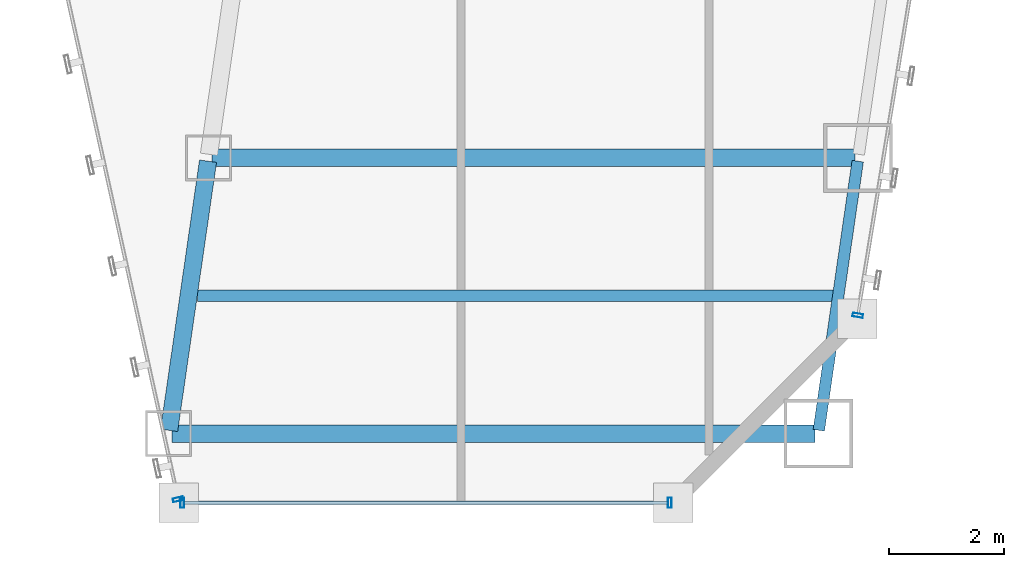
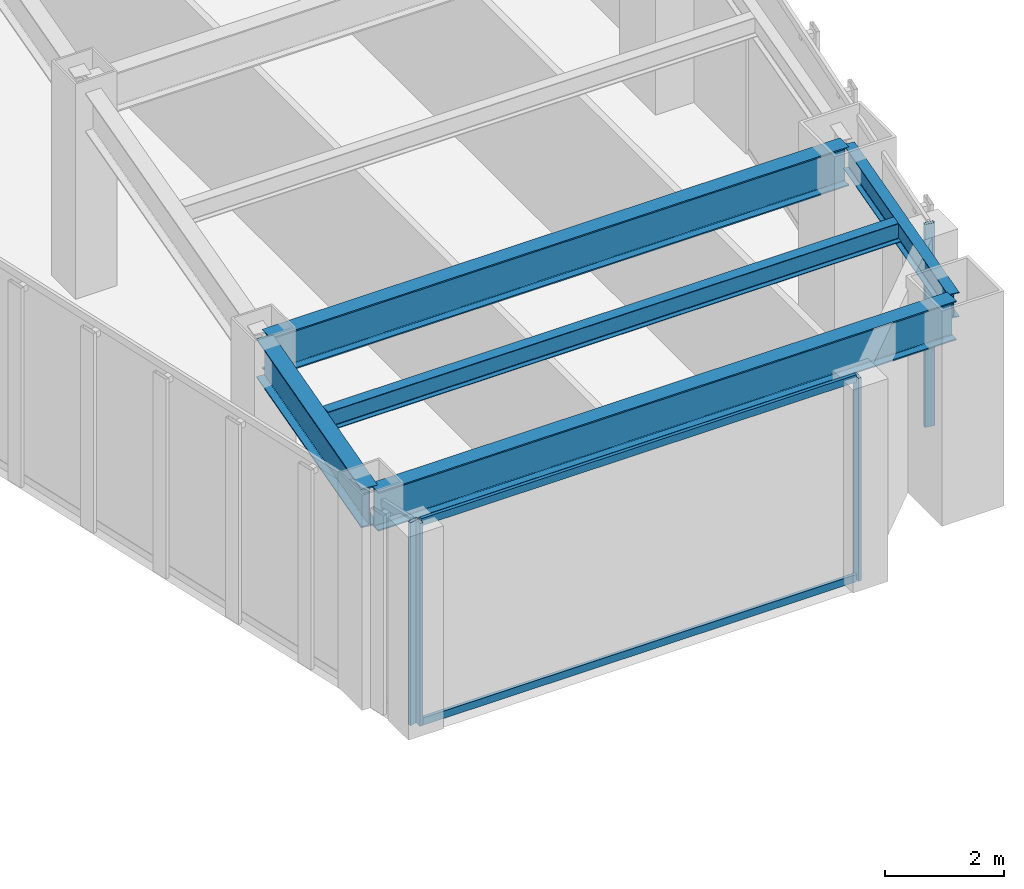
# One storey, part 15 of 47: 6 members, 5 beams, 3 elements without a shape of their own.
"""IFC4 building model written with IfcOpenShell, lengths in metres."""

from ifc_helpers import new_model, si_unit, direction, frame, origin, origin_2d, place, context, subcontext, project, spatial, hollow_rectangle, i_section, extrude, material, material_profile, profile_set, type_object, element, aggregate, save


model = new_model("IFC4")

# Units and contexts
model_context = context("Model", 3, precision=1e-05, world=origin(), true_north=direction((0.0, 1.0)))
body_context = subcontext(model_context, "Body", "Model", "MODEL_VIEW")
ifc_project = project(units=[si_unit("LENGTHUNIT", "METRE"), si_unit("AREAUNIT", "SQUARE_METRE"), si_unit("VOLUMEUNIT", "CUBIC_METRE"), si_unit("PLANEANGLEUNIT", "RADIAN"), si_unit("MASSUNIT", "GRAM", prefix="KILO")], contexts=[model_context])

# Site, building, storey
site_placement = place(None, origin())
site = spatial("IfcSite", under=ifc_project, at=site_placement, CompositionType="ELEMENT")
building_placement = place(site_placement, origin())
building = spatial("IfcBuilding", under=site, at=building_placement, Name="Saevonmaru Cultural Tower", CompositionType="ELEMENT")
storey_placement = place(building_placement, frame((0.0, 0.0, 92.800048828125)))
storey = spatial("IfcBuildingStorey", under=building, at=storey_placement, Name="L19", CompositionType="ELEMENT", Elevation=92.800048828125)

# Beams
ifc_material_1 = material(Name="Steel SM420", Category="steel")
ifc_material_profile_1 = material_profile(ifc_material_1, i_section(OverallWidth=0.300048828125, OverallDepth=0.800048828125, WebThickness=0.013916015625, FlangeThickness=0.02587890625, FilletRadius=0.028076171875, at=origin_2d()), Name="H-800x300x14x26")
ifc_profile_set_1 = profile_set([ifc_material_profile_1], Name="Steel SM420")
beam_type_1 = type_object("IfcBeamType", Name="BM-G-H800", PredefinedType="BEAM", material=ifc_profile_set_1)
beam_1_placement = place(storey_placement, frame((36.231689453125, 3.259521484375, 3.75), z_axis=(0.143083234893, 0.989710658674, 0.0), x_axis=(-0.989710658674, 0.143083234893, 0.0)))
element("IfcBeam", 1, at=beam_1_placement, inside=storey, type_object=beam_type_1, Name="L19 East Atrium Girder 1", PredefinedType="BEAM", context=body_context, shape_type="SweptSolid", body=[
    extrude(i_section(OverallWidth=0.300048828125, OverallDepth=0.800048828125, WebThickness=0.013916015625, FlangeThickness=0.02587890625, FilletRadius=0.028076171875, at=origin_2d()), origin(), (0.0, 0.0, 1.0), 4.729736328125),
])
for number, where, z_axis, x_axis, name in (
    (2, (36.282958984375, 3.199951171875, 3.75), (1.0, 0.0, 0.0), (0.0, 1.0, 0.0), "L19 East Wing Transverse Girder 1"),
    (3, (36.97705078125, 8.0, 3.75), (1.0, 0.0, 0.0), (0.0, 1.0, 0.0), "L19 East Wing Transverse Girder 2"),
):
    element("IfcBeam", number, at=place(storey_placement, frame(where, z_axis=z_axis, x_axis=x_axis)), inside=storey, type_object=beam_type_1, Name=name, PredefinedType="BEAM", context=body_context, shape_type="SweptSolid", body=[
        extrude(i_section(OverallWidth=0.300048828125, OverallDepth=0.800048828125, WebThickness=0.013916015625, FlangeThickness=0.02587890625, FilletRadius=0.028076171875, at=origin_2d()), origin(), (0.0, 0.0, 1.0), 11.179931640625),
    ])
ifc_material_2 = material(Name="Steel SM355", Category="steel")
ifc_material_profile_2 = material_profile(ifc_material_2, i_section(OverallWidth=0.199951171875, OverallDepth=0.39990234375, WebThickness=0.008056640625, FlangeThickness=0.012939453125, FilletRadius=0.01611328125, at=origin_2d()), Name="H-400x200x8x13")
ifc_profile_set_2 = profile_set([ifc_material_profile_2], Name="Steel SM355")
beam_type_2 = type_object("IfcBeamType", Name="BM-J-H400", PredefinedType="JOIST", material=ifc_profile_set_2)
beam_2_placement = place(storey_placement, frame((36.72802734375, 5.60009765625, 3.949951171875), z_axis=(1.0, 0.0, 0.0), x_axis=(0.0, 1.0, 0.0)))
element("IfcBeam", 4, at=beam_2_placement, inside=storey, type_object=beam_type_2, Name="L19 East Wing Floor Joist 1", PredefinedType="JOIST", context=body_context, shape_type="SweptSolid", body=[
    extrude(i_section(OverallWidth=0.199951171875, OverallDepth=0.39990234375, WebThickness=0.008056640625, FlangeThickness=0.012939453125, FilletRadius=0.01611328125, at=origin_2d()), origin(), (0.0, 0.0, 1.0), 11.08203125),
])
ifc_material_profile_3 = material_profile(ifc_material_2, i_section(OverallWidth=0.199951171875, OverallDepth=0.5, WebThickness=0.010009765625, FlangeThickness=0.01611328125, FilletRadius=0.02001953125, at=origin_2d()), Name="H-500x200x10x16")
ifc_profile_set_3 = profile_set([ifc_material_profile_3], Name="Steel SM355")
beam_type_3 = type_object("IfcBeamType", Name="BM-SP-H500", PredefinedType="SPANDREL", material=ifc_profile_set_3)
beam_3_placement = place(storey_placement, frame((47.531494140625, 3.259521484375, 3.89990234375), z_axis=(0.14313379491, 0.989703347855, 0.0), x_axis=(-0.989703347855, 0.14313379491, 0.0)))
element("IfcBeam", 5, at=beam_3_placement, inside=storey, type_object=beam_type_3, Name="L19 East Splayed Spandrel 1", PredefinedType="SPANDREL", context=body_context, shape_type="SweptSolid", body=[
    extrude(i_section(OverallWidth=0.199951171875, OverallDepth=0.5, WebThickness=0.010009765625, FlangeThickness=0.01611328125, FilletRadius=0.02001953125, at=origin_2d()), origin(), (0.0, 0.0, 1.0), 4.729736328125),
])

# Curtain wall, member
ifc_material_3 = material(Name="Satin Bronze Anodised Aluminium", Category="aluminium")
curtain_wall_type = type_object("IfcCurtainWallType", Name="CW-TYP-A", PredefinedType="NOTDEFINED", material=ifc_material_3)
curtain_wall_1_placement = place(storey_placement, origin())
curtain_wall_1 = element("IfcCurtainWall", 6, at=curtain_wall_1_placement, inside=storey, type_object=curtain_wall_type, Name="L19 Unitised Curtain Wall E5", PredefinedType="NOTDEFINED")
ifc_material_profile_4 = material_profile(ifc_material_3, hollow_rectangle(XDim=0.06494140625, YDim=0.179931640625, WallThickness=0.00390625, at=origin_2d()), Name="ALU-MULL-180x65x4")
ifc_profile_set_4 = profile_set([ifc_material_profile_4], Name="Satin Bronze Anodised Aluminium")
member_type_1 = type_object("IfcMemberType", Name="ML-CW-180x65", PredefinedType="MULLION", material=ifc_profile_set_4)
member_1_placement = place(storey_placement, frame((36.38720703125, 2.05859375, 0.0), z_axis=(0.0, 0.0, 1.0), x_axis=(0.215413319953, -0.976522965212, 0.0)))
member_1 = element("IfcMember", 7, at=member_1_placement, type_object=member_type_1, Name="CW-TW-L19-E5 mullion 2", PredefinedType="MULLION", context=body_context, shape_type="SweptSolid", body=[
    extrude(hollow_rectangle(XDim=0.06494140625, YDim=0.179931640625, WallThickness=0.00390625, at=origin_2d()), origin(), (0.0, 0.0, 1.0), 4.14990234375),
])
aggregate(curtain_wall_1, [member_1])

# Curtain wall, members
curtain_wall_2_placement = place(storey_placement, origin())
curtain_wall_2 = element("IfcCurtainWall", 8, at=curtain_wall_2_placement, inside=storey, type_object=curtain_wall_type, Name="L19 Unitised Curtain Wall E6", PredefinedType="NOTDEFINED")
member_2_placement = place(storey_placement, frame((36.4599609375, 2.0, 0.0), z_axis=(0.0, 0.0, 1.0), x_axis=(1.0, 0.0, 0.0)))
member_2 = element("IfcMember", 9, at=member_2_placement, type_object=member_type_1, Name="CW-TW-L19-E6 mullion 1", PredefinedType="MULLION", context=body_context, shape_type="SweptSolid", body=[
    extrude(hollow_rectangle(XDim=0.06494140625, YDim=0.179931640625, WallThickness=0.00390625, at=origin_2d()), origin(), (0.0, 0.0, 1.0), 4.14990234375),
])
member_3_placement = place(storey_placement, frame((44.93994140625, 2.0, 0.0), z_axis=(0.0, 0.0, 1.0), x_axis=(1.0, 0.0, 0.0)))
member_3 = element("IfcMember", 10, at=member_3_placement, type_object=member_type_1, Name="CW-TW-L19-E6 mullion 2", PredefinedType="MULLION", context=body_context, shape_type="SweptSolid", body=[
    extrude(hollow_rectangle(XDim=0.06494140625, YDim=0.179931640625, WallThickness=0.00390625, at=origin_2d()), origin(), (0.0, 0.0, 1.0), 4.14990234375),
])

# Curtain wall, member
curtain_wall_3_placement = place(storey_placement, origin())
curtain_wall_3 = element("IfcCurtainWall", 11, at=curtain_wall_3_placement, inside=storey, type_object=curtain_wall_type, Name="L19 Unitised Curtain Wall E8", PredefinedType="NOTDEFINED")
member_4_placement = place(storey_placement, frame((48.209716796875, 5.25927734375, 0.0), z_axis=(0.0, 0.0, 1.0), x_axis=(0.161708868641, 0.986838508472, 0.0)))
member_4 = element("IfcMember", 12, at=member_4_placement, type_object=member_type_1, Name="CW-TW-L19-E8 mullion 1", PredefinedType="MULLION", context=body_context, shape_type="SweptSolid", body=[
    extrude(hollow_rectangle(XDim=0.06494140625, YDim=0.179931640625, WallThickness=0.00390625, at=origin_2d()), origin(), (0.0, 0.0, 1.0), 4.14990234375),
])
aggregate(curtain_wall_3, [member_4])

# Member
ifc_material_profile_5 = material_profile(ifc_material_3, hollow_rectangle(XDim=0.06494140625, YDim=0.14990234375, WallThickness=0.00390625, at=origin_2d()), Name="ALU-TRAN-150x65x4")
ifc_profile_set_5 = profile_set([ifc_material_profile_5], Name="Satin Bronze Anodised Aluminium")
member_type_2 = type_object("IfcMemberType", Name="TR-CW-150x65", PredefinedType="USERDEFINED", material=ifc_profile_set_5)
member_5_placement = place(storey_placement, frame((36.492431640625, 2.0, 0.032470703125), z_axis=(1.0, 0.0, 0.0), x_axis=(0.0, 1.0, 0.0)))
member_5 = element("IfcMember", 13, at=member_5_placement, type_object=member_type_2, Name="CW-TW-L19-E6 transom 1.1", ObjectType="TRANSOM", PredefinedType="USERDEFINED", context=body_context, shape_type="SweptSolid", body=[
    extrude(hollow_rectangle(XDim=0.06494140625, YDim=0.14990234375, WallThickness=0.00390625, at=origin_2d()), origin(), (0.0, 0.0, 1.0), 8.4150390625),
])

member_6_placement = place(storey_placement, frame((36.492431640625, 2.0, 4.117431640625), z_axis=(1.0, 0.0, 0.0), x_axis=(0.0, 1.0, 0.0)))
member_6 = element("IfcMember", 14, at=member_6_placement, type_object=member_type_2, Name="CW-TW-L19-E6 transom 1.2", ObjectType="TRANSOM", PredefinedType="USERDEFINED", context=body_context, shape_type="SweptSolid", body=[
    extrude(hollow_rectangle(XDim=0.06494140625, YDim=0.14990234375, WallThickness=0.00390625, at=origin_2d()), origin(), (0.0, 0.0, 1.0), 8.4150390625),
])

aggregate(curtain_wall_2, [member_2, member_3, member_5, member_6])

save(model, "model.ifc")
